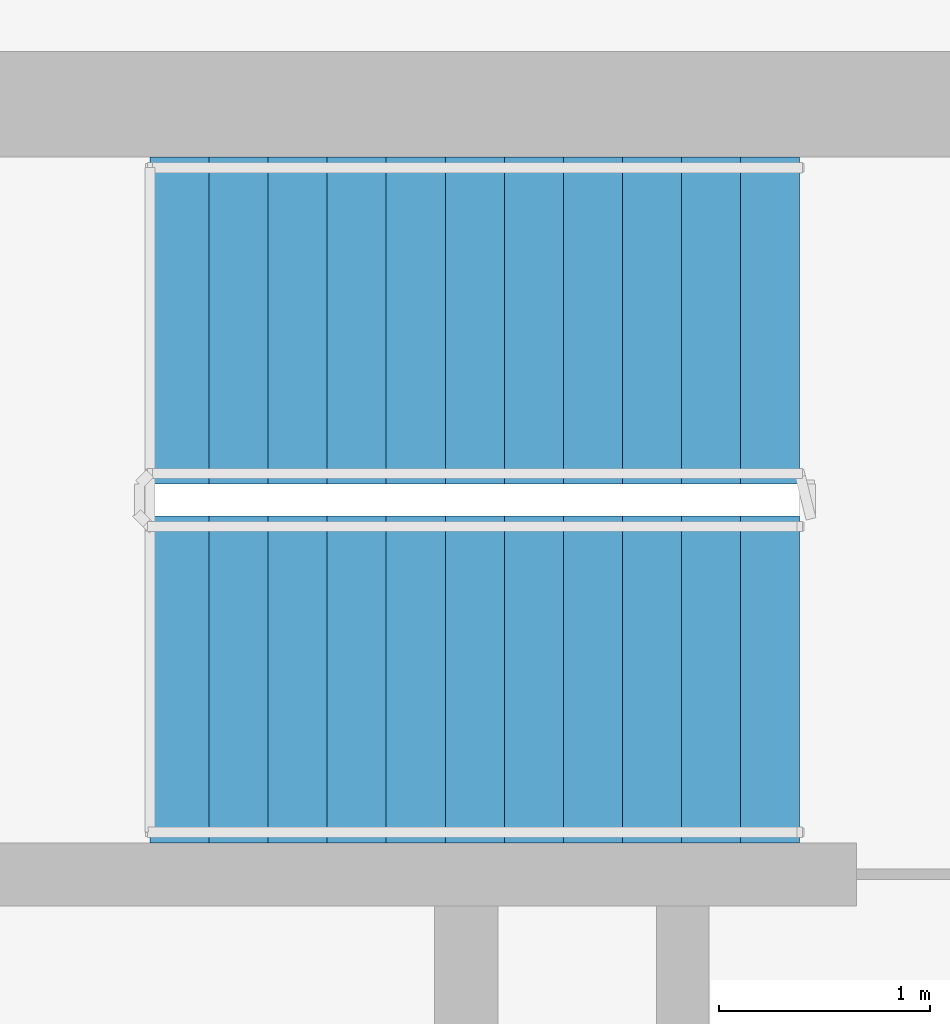
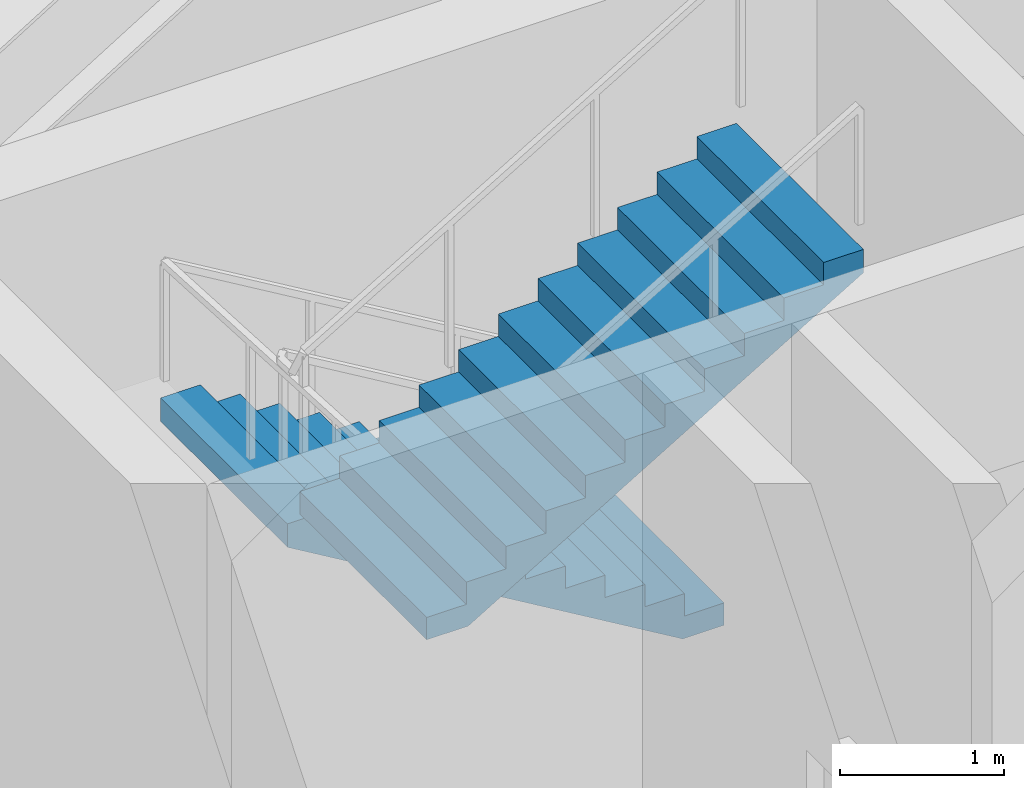
# One storey, part 16 of 30: 2 stair flights, 1 element without a shape of its own.
"""IFC4 building model written with IfcOpenShell, lengths in metres."""

from ifc_helpers import new_model, si_unit, direction, frame, origin, place, context, subcontext, project, spatial, polyline, outline, extrude, material, type_object, element, aggregate, save


model = new_model("IFC4")

# Units and contexts
model_context = context("Model", 3, precision=1e-05, world=origin(), true_north=direction((0.0, 1.0)))
body_context = subcontext(model_context, "Body", "Model", "MODEL_VIEW")
ifc_project = project(units=[si_unit("LENGTHUNIT", "METRE"), si_unit("AREAUNIT", "SQUARE_METRE"), si_unit("VOLUMEUNIT", "CUBIC_METRE"), si_unit("PLANEANGLEUNIT", "RADIAN"), si_unit("MASSUNIT", "GRAM", prefix="KILO")], contexts=[model_context])

# Site, building, storey
site_placement = place(None, origin())
site = spatial("IfcSite", under=ifc_project, at=site_placement, CompositionType="ELEMENT")
building_placement = place(site_placement, origin())
building = spatial("IfcBuilding", under=site, at=building_placement, Name="Noorbagh Ring Tower", CompositionType="ELEMENT")
storey_placement = place(building_placement, frame((0.0, 0.0, 30.5)))
storey = spatial("IfcBuildingStorey", under=building, at=storey_placement, Name="L05", CompositionType="ELEMENT", Elevation=30.5)

# Stair, stair flights
ifc_material_1 = material(Name="Concrete C40/50", Category="concrete")
stair_type = type_object("IfcStairType", Name="CORE-STAIR", PredefinedType="HALF_TURN_STAIR", material=ifc_material_1)
stair_placement = place(storey_placement, origin())
stair = element("IfcStair", 1, at=stair_placement, inside=storey, type_object=stair_type, Name="L05 Exit stair ST3", PredefinedType="HALF_TURN_STAIR")
ifc_material_2 = material(Name="Concrete C40/50", Category="concrete")
stair_flight_type = type_object("IfcStairFlightType", Name="CORE-STAIR-FLIGHT", PredefinedType="STRAIGHT", material=ifc_material_2)
stair_flight_1_placement = place(storey_placement, frame((21.530029296875, 7.22509765625, 0.0), z_axis=(0.0, 0.0, 1.0), x_axis=(-1.0, 0.0, 0.0)))
stair_flight_1 = element("IfcStairFlight", 2, at=stair_flight_1_placement, type_object=stair_flight_type, Name="ST3 flight 1", NumberOfRisers=12, NumberOfTreads=11, PredefinedType="STRAIGHT", RiserHeight=0.166666667, TreadLength=0.28, context=body_context, shape_type="SweptSolid", body=[
    extrude(outline(polyline([(0.0, 0.0), (0.0, 0.166748046875), (0.280029296875, 0.166748046875), (0.280029296875, 0.333251953125), (0.56005859375, 0.333251953125), (0.56005859375, 0.5), (0.840087890625, 0.5), (0.840087890625, 0.666748046875), (1.1201171875, 0.666748046875), (1.1201171875, 0.833251953125), (1.39990234375, 0.833251953125), (1.39990234375, 1.0), (1.679931640625, 1.0), (1.679931640625, 1.166748046875), (1.9599609375, 1.166748046875), (1.9599609375, 1.333251953125), (2.239990234375, 1.333251953125), (2.239990234375, 1.5), (2.52001953125, 1.5), (2.52001953125, 1.666748046875), (2.800048828125, 1.666748046875), (2.800048828125, 1.833251953125), (3.080078125, 1.833251953125), (3.080078125, 2.0), (3.080078125, 1.658935546875), (0.29296875, 0.0), (0.0, 0.0)])), frame((0.0, 0.77490234375, 0.0), z_axis=(0.0, -1.0, 0.0), x_axis=(1.0, 0.0, 0.0)), (0.0, 0.0, 1.0), 1.550048828125),
])
stair_flight_2_placement = place(storey_placement, frame((18.449951171875, 5.52490234375, 2.0), z_axis=(0.0, 0.0, 1.0), x_axis=(1.0, 0.0, 0.0)))
stair_flight_2 = element("IfcStairFlight", 3, at=stair_flight_2_placement, type_object=stair_flight_type, Name="ST3 flight 2", NumberOfRisers=12, NumberOfTreads=11, PredefinedType="STRAIGHT", RiserHeight=0.166666667, TreadLength=0.28, context=body_context, shape_type="SweptSolid", body=[
    extrude(outline(polyline([(0.0, 0.0), (0.0, 0.166748046875), (0.280029296875, 0.166748046875), (0.280029296875, 0.333251953125), (0.56005859375, 0.333251953125), (0.56005859375, 0.5), (0.840087890625, 0.5), (0.840087890625, 0.666748046875), (1.1201171875, 0.666748046875), (1.1201171875, 0.833251953125), (1.39990234375, 0.833251953125), (1.39990234375, 1.0), (1.679931640625, 1.0), (1.679931640625, 1.166748046875), (1.9599609375, 1.166748046875), (1.9599609375, 1.333251953125), (2.239990234375, 1.333251953125), (2.239990234375, 1.5), (2.52001953125, 1.5), (2.52001953125, 1.666748046875), (2.800048828125, 1.666748046875), (2.800048828125, 1.833251953125), (3.080078125, 1.833251953125), (3.080078125, 2.0), (3.080078125, 1.658935546875), (0.29296875, 0.0), (0.0, 0.0)])), frame((0.0, 0.77490234375, 0.0), z_axis=(0.0, -1.0, 0.0), x_axis=(1.0, 0.0, 0.0)), (0.0, 0.0, 1.0), 1.550048828125),
])
aggregate(stair, [stair_flight_1, stair_flight_2])

save(model, "model.ifc")
